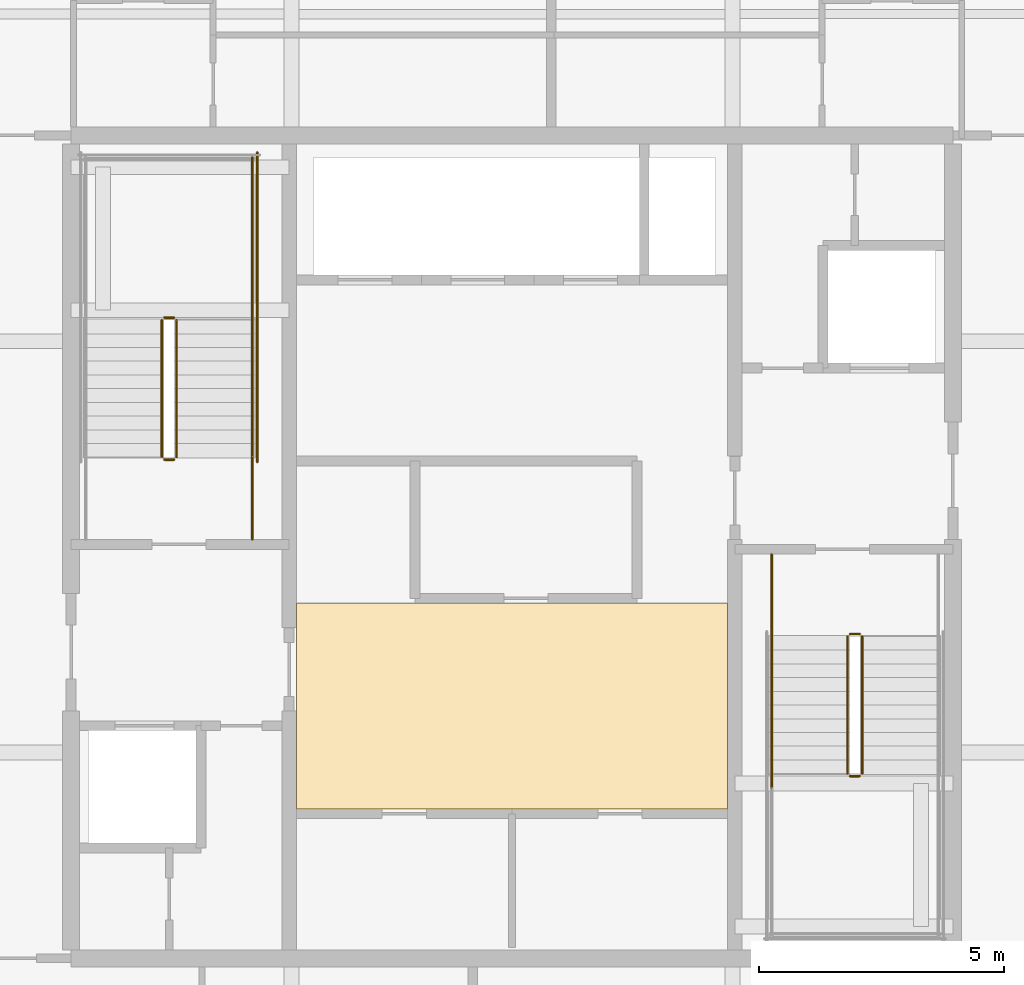
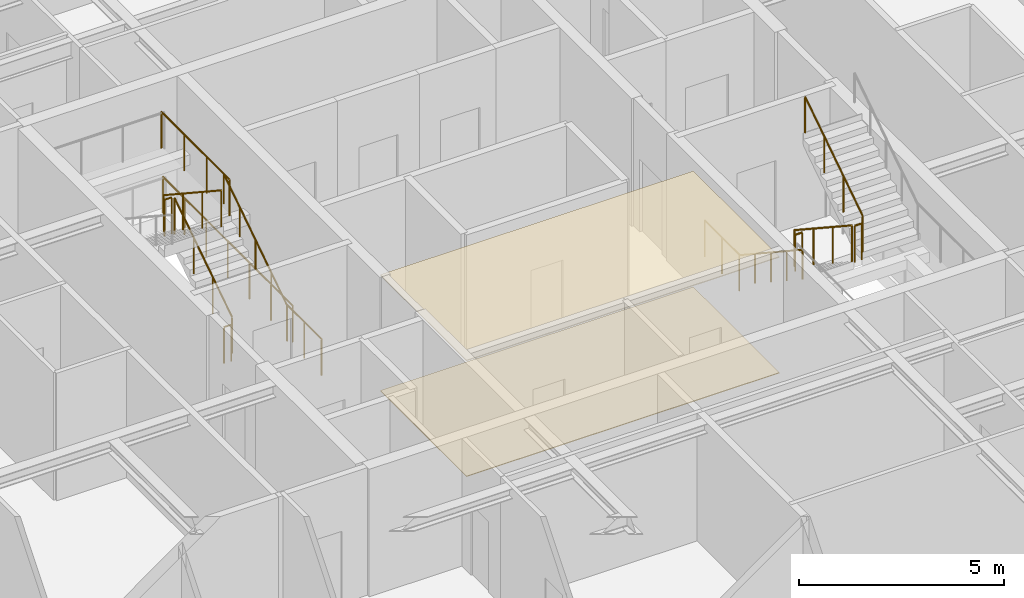
# One storey, part 34 of 36: 14 railings, 2 coverings.
"""IFC4 building model written with IfcOpenShell, lengths in metres."""

from ifc_helpers import new_model, si_unit, direction, frame, origin, origin_2d, place, context, subcontext, project, spatial, polyline, circle, outline, extrude, material, layer, layer_set, type_object, element, save


model = new_model("IFC4")

# Units and contexts
model_context = context("Model", 3, precision=1e-05, world=origin(), true_north=direction((0.0, 1.0)))
body_context = subcontext(model_context, "Body", "Model", "MODEL_VIEW")
ifc_project = project(units=[si_unit("LENGTHUNIT", "METRE"), si_unit("AREAUNIT", "SQUARE_METRE"), si_unit("VOLUMEUNIT", "CUBIC_METRE"), si_unit("PLANEANGLEUNIT", "RADIAN"), si_unit("MASSUNIT", "GRAM", prefix="KILO")], contexts=[model_context])

# Site, building, storey
site_placement = place(None, origin())
site = spatial("IfcSite", under=ifc_project, at=site_placement, CompositionType="ELEMENT")
building_placement = place(site_placement, origin())
building = spatial("IfcBuilding", under=site, at=building_placement, Name="Serunith Strait Residences", CompositionType="ELEMENT")
storey_placement = place(building_placement, frame((0.0, 0.0, 338.0)))
storey = spatial("IfcBuildingStorey", under=building, at=storey_placement, Name="L84", CompositionType="ELEMENT", Elevation=338.0)

# Coverings
ifc_material_1 = material(Name="Perforated acoustic gypsum ceiling tile")
ifc_layer_1 = layer(ifc_material_1, 0.02490234375, Name="Perforated acoustic gypsum ceiling tile")
ifc_layer_set_1 = layer_set([ifc_layer_1], Name="Perforated acoustic gypsum ceiling tile")
covering_type_1 = type_object("IfcCoveringType", Name="COV-CEIL-AC60", PredefinedType="CEILING", material=ifc_layer_set_1)
covering_1_placement = place(storey_placement, frame((0.0, 0.0, 3.43994140625)))
element("IfcCovering", 1, at=covering_1_placement, inside=storey, type_object=covering_type_1, Name="L84 Lift Lobby Acoustic Ceiling", PredefinedType="CEILING", context=body_context, shape_type="SweptSolid", body=[
    extrude(outline(polyline([(28.0, 19.85009765625), (36.800048828125, 19.85009765625), (36.800048828125, 24.050048828125), (28.0, 24.050048828125), (28.0, 19.85009765625)])), origin(), (0.0, 0.0, 1.0), 0.025146484375),
])
ifc_material_2 = material(Name="Honed limestone terrazzo flooring", Category="masonry")
ifc_layer_2 = layer(ifc_material_2, 0.02001953125, Name="Honed limestone terrazzo flooring")
ifc_layer_set_2 = layer_set([ifc_layer_2], Name="Honed limestone terrazzo flooring")
covering_type_2 = type_object("IfcCoveringType", Name="COV-FLOOR-TER40", PredefinedType="FLOORING", material=ifc_layer_set_2)
covering_2_placement = place(storey_placement, origin())
element("IfcCovering", 2, at=covering_2_placement, inside=storey, type_object=covering_type_2, Name="L84 Lift Lobby Terrazzo Flooring", PredefinedType="FLOORING", context=body_context, shape_type="SweptSolid", body=[
    extrude(outline(polyline([(28.0, 19.85009765625), (36.800048828125, 19.85009765625), (36.800048828125, 24.050048828125), (28.0, 24.050048828125), (28.0, 19.85009765625)])), origin(), (0.0, 0.0, 1.0), 0.02001953125),
])

# Railings
ifc_material_3 = material(Name="Brushed stainless steel 316L", Category="steel")
railing_type_1 = type_object("IfcRailingType", Name="RLG-STAIR-GUARD", PredefinedType="BALUSTRADE", material=ifc_material_3)
railing_1_placement = place(storey_placement, frame((25.550048828125, 27.030029296875, 0.18408203125)))
element("IfcRailing", 3, at=railing_1_placement, inside=storey, type_object=railing_type_1, Name="L84 ST-1 stair guard 1", PredefinedType="BALUSTRADE", context=body_context, shape_type="SweptSolid", body=[
    extrude(circle(Radius=0.02392578125, at=origin_2d()), frame((0.0, 0.001708984375, 1.0771484375), z_axis=(0.0, 0.835597507184, 0.549342157483), x_axis=(-1.0, 0.0, 0.0)), (0.0, 0.0, 1.0), 3.346923828125),
    extrude(circle(Radius=0.02099609375, at=origin_2d()), origin(), (0.0, 0.0, 1.0), 1.050048828125),
    extrude(circle(Radius=0.02099609375, at=origin_2d()), frame((0.0, 0.933349609375, 0.613525390625)), (0.0, 0.0, 1.0), 1.050048828125),
    extrude(circle(Radius=0.02099609375, at=origin_2d()), frame((0.0, 1.86669921875, 1.227294921875)), (0.0, 0.0, 1.0), 1.050048828125),
    extrude(circle(Radius=0.02099609375, at=origin_2d()), frame((0.0, 2.800048828125, 1.8408203125)), (0.0, 0.0, 1.0), 1.050048828125),
])
railing_2_placement = place(storey_placement, frame((25.5, 29.8798828125, 2.02490234375)))
element("IfcRailing", 4, at=railing_2_placement, inside=storey, type_object=railing_type_1, Name="L84 ST-1 stair guard 2", PredefinedType="BALUSTRADE", context=body_context, shape_type="SweptSolid", body=[
    extrude(circle(Radius=0.02392578125, at=origin_2d()), frame((-0.001953125, 0.0, 1.076171875), z_axis=(-1.0, 0.0, 0.0), x_axis=(0.0, -1.0, 0.0)), (0.0, 0.0, 1.0), 0.196044921875),
    extrude(circle(Radius=0.02099609375, at=origin_2d()), origin(), (0.0, 0.0, 1.0), 1.050048828125),
    extrude(circle(Radius=0.02099609375, at=origin_2d()), frame((-0.199951171875, 0.0, 0.0)), (0.0, 0.0, 1.0), 1.050048828125),
])
railing_3_placement = place(storey_placement, frame((27.10009765625, 29.830078125, 2.02490234375)))
element("IfcRailing", 5, at=railing_3_placement, inside=storey, type_object=railing_type_1, Name="L84 ST-1 stair guard 3", PredefinedType="BALUSTRADE", context=body_context, shape_type="SweptSolid", body=[
    extrude(circle(Radius=0.02392578125, at=origin_2d()), frame((0.0, 0.001953125, 1.076171875), z_axis=(0.0, 1.0, 0.0), x_axis=(-1.0, 0.0, 0.0)), (0.0, 0.0, 1.0), 3.31591796875),
    extrude(circle(Radius=0.02099609375, at=origin_2d()), origin(), (0.0, 0.0, 1.0), 1.050048828125),
    extrude(circle(Radius=0.02099609375, at=origin_2d()), frame((0.0, 1.106689453125, 0.0)), (0.0, 0.0, 1.0), 1.050048828125),
    extrude(circle(Radius=0.02099609375, at=origin_2d()), frame((0.0, 2.213134765625, 0.0)), (0.0, 0.0, 1.0), 1.050048828125),
    extrude(circle(Radius=0.02099609375, at=origin_2d()), frame((0.0, 3.31982421875, 0.0)), (0.0, 0.0, 1.0), 1.050048828125),
])
railing_4_placement = place(storey_placement, frame((25.25, 29.830078125, 2.208984375)))
element("IfcRailing", 6, at=railing_4_placement, inside=storey, type_object=railing_type_1, Name="L84 ST-1 stair guard 6", PredefinedType="BALUSTRADE", context=body_context, shape_type="SweptSolid", body=[
    extrude(circle(Radius=0.02392578125, at=origin_2d()), frame((0.0, -0.001708984375, 1.0771484375), z_axis=(0.0, -0.83556406348, 0.549393024911), x_axis=(1.0, 0.0, 0.0)), (0.0, 0.0, 1.0), 3.34716796875),
    extrude(circle(Radius=0.02099609375, at=origin_2d()), origin(), (0.0, 0.0, 1.0), 1.050048828125),
    extrude(circle(Radius=0.02099609375, at=origin_2d()), frame((0.0, -0.933349609375, 0.61376953125)), (0.0, 0.0, 1.0), 1.050048828125),
    extrude(circle(Radius=0.02099609375, at=origin_2d()), frame((0.0, -1.86669921875, 1.227294921875)), (0.0, 0.0, 1.0), 1.050048828125),
    extrude(circle(Radius=0.02099609375, at=origin_2d()), frame((0.0, -2.800048828125, 1.841064453125)), (0.0, 0.0, 1.0), 1.050048828125),
])
railing_5_placement = place(storey_placement, frame((25.5, 26.97998046875, 0.0)))
element("IfcRailing", 7, at=railing_5_placement, inside=storey, type_object=railing_type_1, Name="L84 ST-1 stair guard 7", PredefinedType="BALUSTRADE", context=body_context, shape_type="SweptSolid", body=[
    extrude(circle(Radius=0.02392578125, at=origin_2d()), frame((-0.001953125, 0.0, 1.076171875), z_axis=(-1.0, 0.0, 0.0), x_axis=(0.0, -1.0, 0.0)), (0.0, 0.0, 1.0), 0.196044921875),
    extrude(circle(Radius=0.02099609375, at=origin_2d()), origin(), (0.0, 0.0, 1.0), 1.050048828125),
    extrude(circle(Radius=0.02099609375, at=origin_2d()), frame((-0.199951171875, 0.0, 0.0)), (0.0, 0.0, 1.0), 1.050048828125),
])
railing_6_placement = place(storey_placement, frame((27.10009765625, 25.35009765625, 0.0)))
element("IfcRailing", 8, at=railing_6_placement, inside=storey, type_object=railing_type_1, Name="L84 ST-1 stair guard 8", PredefinedType="BALUSTRADE", context=body_context, shape_type="SweptSolid", body=[
    extrude(circle(Radius=0.02392578125, at=origin_2d()), frame((0.0, 0.001953125, 1.076171875), z_axis=(0.0, 1.0, 0.0), x_axis=(-1.0, 0.0, 0.0)), (0.0, 0.0, 1.0), 1.676025390625),
    extrude(circle(Radius=0.02099609375, at=origin_2d()), origin(), (0.0, 0.0, 1.0), 1.050048828125),
    extrude(circle(Radius=0.02099609375, at=origin_2d()), frame((0.0, 0.83984375, 0.0)), (0.0, 0.0, 1.0), 1.050048828125),
    extrude(circle(Radius=0.02099609375, at=origin_2d()), frame((0.0, 1.679931640625, 0.0)), (0.0, 0.0, 1.0), 1.050048828125),
])
railing_7_placement = place(storey_placement, frame((27.199951171875, 26.929931640625, 0.0)))
element("IfcRailing", 9, at=railing_7_placement, inside=storey, type_object=railing_type_1, Name="L84 ST-1 stair guard 10", PredefinedType="BALUSTRADE", context=body_context, shape_type="SweptSolid", body=[
    extrude(circle(Radius=0.02392578125, at=origin_2d()), frame((0.0, 0.001953125, 1.076171875), z_axis=(0.0, 1.0, 0.0), x_axis=(-1.0, 0.0, 0.0)), (0.0, 0.0, 1.0), 6.316162109375),
    extrude(circle(Radius=0.02099609375, at=origin_2d()), origin(), (0.0, 0.0, 1.0), 1.050048828125),
    extrude(circle(Radius=0.02099609375, at=origin_2d()), frame((0.0, 1.05322265625, 0.0)), (0.0, 0.0, 1.0), 1.050048828125),
    extrude(circle(Radius=0.02099609375, at=origin_2d()), frame((0.0, 2.106689453125, 0.0)), (0.0, 0.0, 1.0), 1.050048828125),
    extrude(circle(Radius=0.02099609375, at=origin_2d()), frame((0.0, 3.16015625, 0.0)), (0.0, 0.0, 1.0), 1.050048828125),
    extrude(circle(Radius=0.02099609375, at=origin_2d()), frame((0.0, 4.21337890625, 0.0)), (0.0, 0.0, 1.0), 1.050048828125),
    extrude(circle(Radius=0.02099609375, at=origin_2d()), frame((0.0, 5.2666015625, 0.0)), (0.0, 0.0, 1.0), 1.050048828125),
    extrude(circle(Radius=0.02099609375, at=origin_2d()), frame((0.0, 6.320068359375, 0.0)), (0.0, 0.0, 1.0), 1.050048828125),
])
railing_8_placement = place(storey_placement, frame((39.25, 23.3701171875, 0.18408203125)))
element("IfcRailing", 10, at=railing_8_placement, inside=storey, type_object=railing_type_1, Name="L84 ST-2 stair guard 1", PredefinedType="BALUSTRADE", context=body_context, shape_type="SweptSolid", body=[
    extrude(circle(Radius=0.02392578125, at=origin_2d()), frame((0.0, -0.001708984375, 1.0771484375), z_axis=(0.0, -0.835597507184, 0.549342157483), x_axis=(1.0, 0.0, 0.0)), (0.0, 0.0, 1.0), 3.346923828125),
    extrude(circle(Radius=0.02099609375, at=origin_2d()), origin(), (0.0, 0.0, 1.0), 1.050048828125),
    extrude(circle(Radius=0.02099609375, at=origin_2d()), frame((0.0, -0.933349609375, 0.613525390625)), (0.0, 0.0, 1.0), 1.050048828125),
    extrude(circle(Radius=0.02099609375, at=origin_2d()), frame((0.0, -1.86669921875, 1.227294921875)), (0.0, 0.0, 1.0), 1.050048828125),
    extrude(circle(Radius=0.02099609375, at=origin_2d()), frame((0.0, -2.800048828125, 1.8408203125)), (0.0, 0.0, 1.0), 1.050048828125),
])
railing_9_placement = place(storey_placement, frame((39.300048828125, 20.52001953125, 2.02490234375)))
element("IfcRailing", 11, at=railing_9_placement, inside=storey, type_object=railing_type_1, Name="L84 ST-2 stair guard 2", PredefinedType="BALUSTRADE", context=body_context, shape_type="SweptSolid", body=[
    extrude(circle(Radius=0.02392578125, at=origin_2d()), frame((0.001953125, 0.0, 1.076171875), z_axis=(1.0, 0.0, 0.0), x_axis=(0.0, 1.0, 0.0)), (0.0, 0.0, 1.0), 0.196044921875),
    extrude(circle(Radius=0.02099609375, at=origin_2d()), origin(), (0.0, 0.0, 1.0), 1.050048828125),
    extrude(circle(Radius=0.02099609375, at=origin_2d()), frame((0.199951171875, 0.0, 0.0)), (0.0, 0.0, 1.0), 1.050048828125),
])
railing_10_placement = place(storey_placement, frame((39.550048828125, 20.570068359375, 2.208984375)))
element("IfcRailing", 12, at=railing_10_placement, inside=storey, type_object=railing_type_1, Name="L84 ST-2 stair guard 6", PredefinedType="BALUSTRADE", context=body_context, shape_type="SweptSolid", body=[
    extrude(circle(Radius=0.02392578125, at=origin_2d()), frame((0.0, 0.001708984375, 1.0771484375), z_axis=(0.0, 0.83556406348, 0.549393024911), x_axis=(-1.0, 0.0, 0.0)), (0.0, 0.0, 1.0), 3.34716796875),
    extrude(circle(Radius=0.02099609375, at=origin_2d()), origin(), (0.0, 0.0, 1.0), 1.050048828125),
    extrude(circle(Radius=0.02099609375, at=origin_2d()), frame((0.0, 0.933349609375, 0.61376953125)), (0.0, 0.0, 1.0), 1.050048828125),
    extrude(circle(Radius=0.02099609375, at=origin_2d()), frame((0.0, 1.86669921875, 1.227294921875)), (0.0, 0.0, 1.0), 1.050048828125),
    extrude(circle(Radius=0.02099609375, at=origin_2d()), frame((0.0, 2.800048828125, 1.841064453125)), (0.0, 0.0, 1.0), 1.050048828125),
])
railing_11_placement = place(storey_placement, frame((39.300048828125, 23.419921875, 0.0)))
element("IfcRailing", 13, at=railing_11_placement, inside=storey, type_object=railing_type_1, Name="L84 ST-2 stair guard 7", PredefinedType="BALUSTRADE", context=body_context, shape_type="SweptSolid", body=[
    extrude(circle(Radius=0.02392578125, at=origin_2d()), frame((0.001953125, 0.0, 1.076171875), z_axis=(1.0, 0.0, 0.0), x_axis=(0.0, 1.0, 0.0)), (0.0, 0.0, 1.0), 0.196044921875),
    extrude(circle(Radius=0.02099609375, at=origin_2d()), origin(), (0.0, 0.0, 1.0), 1.050048828125),
    extrude(circle(Radius=0.02099609375, at=origin_2d()), frame((0.199951171875, 0.0, 0.0)), (0.0, 0.0, 1.0), 1.050048828125),
])
railing_12_placement = place(storey_placement, frame((37.699951171875, 25.050048828125, 0.0)))
element("IfcRailing", 14, at=railing_12_placement, inside=storey, type_object=railing_type_1, Name="L84 ST-2 stair guard 8", PredefinedType="BALUSTRADE", context=body_context, shape_type="SweptSolid", body=[
    extrude(circle(Radius=0.02392578125, at=origin_2d()), frame((0.0, -0.001953125, 1.076171875), z_axis=(0.0, -1.0, 0.0), x_axis=(1.0, 0.0, 0.0)), (0.0, 0.0, 1.0), 1.676025390625),
    extrude(circle(Radius=0.02099609375, at=origin_2d()), origin(), (0.0, 0.0, 1.0), 1.050048828125),
    extrude(circle(Radius=0.02099609375, at=origin_2d()), frame((0.0, -0.83984375, 0.0)), (0.0, 0.0, 1.0), 1.050048828125),
    extrude(circle(Radius=0.02099609375, at=origin_2d()), frame((0.0, -1.679931640625, 0.0)), (0.0, 0.0, 1.0), 1.050048828125),
])
railing_type_2 = type_object("IfcRailingType", Name="RLG-STAIR-HR", PredefinedType="HANDRAIL", material=ifc_material_3)
railing_13_placement = place(storey_placement, frame((27.10009765625, 27.030029296875, 0.18408203125)))
element("IfcRailing", 15, at=railing_13_placement, inside=storey, type_object=railing_type_2, Name="L84 ST-1 stair handrail 1", PredefinedType="HANDRAIL", context=body_context, shape_type="SweptSolid", body=[
    extrude(circle(Radius=0.02392578125, at=origin_2d()), frame((0.0, 0.001708984375, 0.876953125), z_axis=(0.0, 0.83496096917, 0.550309167616), x_axis=(-1.0, 0.0, 0.0)), (0.0, 0.0, 1.0), 3.684814453125),
    extrude(circle(Radius=0.02099609375, at=origin_2d()), origin(), (0.0, 0.0, 1.0), 0.849853515625),
    extrude(circle(Radius=0.02099609375, at=origin_2d()), frame((0.0, 0.77001953125, 0.507568359375)), (0.0, 0.0, 1.0), 0.849853515625),
    extrude(circle(Radius=0.02099609375, at=origin_2d()), frame((0.0, 1.5400390625, 1.01513671875)), (0.0, 0.0, 1.0), 0.849853515625),
    extrude(circle(Radius=0.02099609375, at=origin_2d()), frame((0.0, 2.31005859375, 1.5224609375)), (0.0, 0.0, 1.0), 0.849853515625),
    extrude(circle(Radius=0.02099609375, at=origin_2d()), frame((0.0, 3.080078125, 2.030029296875)), (0.0, 0.0, 1.0), 0.849853515625),
])
railing_14_placement = place(storey_placement, frame((37.699951171875, 23.3701171875, 0.18408203125)))
element("IfcRailing", 16, at=railing_14_placement, inside=storey, type_object=railing_type_2, Name="L84 ST-2 stair handrail 1", PredefinedType="HANDRAIL", context=body_context, shape_type="SweptSolid", body=[
    extrude(circle(Radius=0.02392578125, at=origin_2d()), frame((0.0, -0.001708984375, 0.876953125), z_axis=(0.0, -0.83496096917, 0.550309167616), x_axis=(1.0, 0.0, 0.0)), (0.0, 0.0, 1.0), 3.684814453125),
    extrude(circle(Radius=0.02099609375, at=origin_2d()), origin(), (0.0, 0.0, 1.0), 0.849853515625),
    extrude(circle(Radius=0.02099609375, at=origin_2d()), frame((0.0, -0.77001953125, 0.507568359375)), (0.0, 0.0, 1.0), 0.849853515625),
    extrude(circle(Radius=0.02099609375, at=origin_2d()), frame((0.0, -1.5400390625, 1.01513671875)), (0.0, 0.0, 1.0), 0.849853515625),
    extrude(circle(Radius=0.02099609375, at=origin_2d()), frame((0.0, -2.31005859375, 1.5224609375)), (0.0, 0.0, 1.0), 0.849853515625),
    extrude(circle(Radius=0.02099609375, at=origin_2d()), frame((0.0, -3.080078125, 2.030029296875)), (0.0, 0.0, 1.0), 0.849853515625),
])

save(model, "model.ifc")
